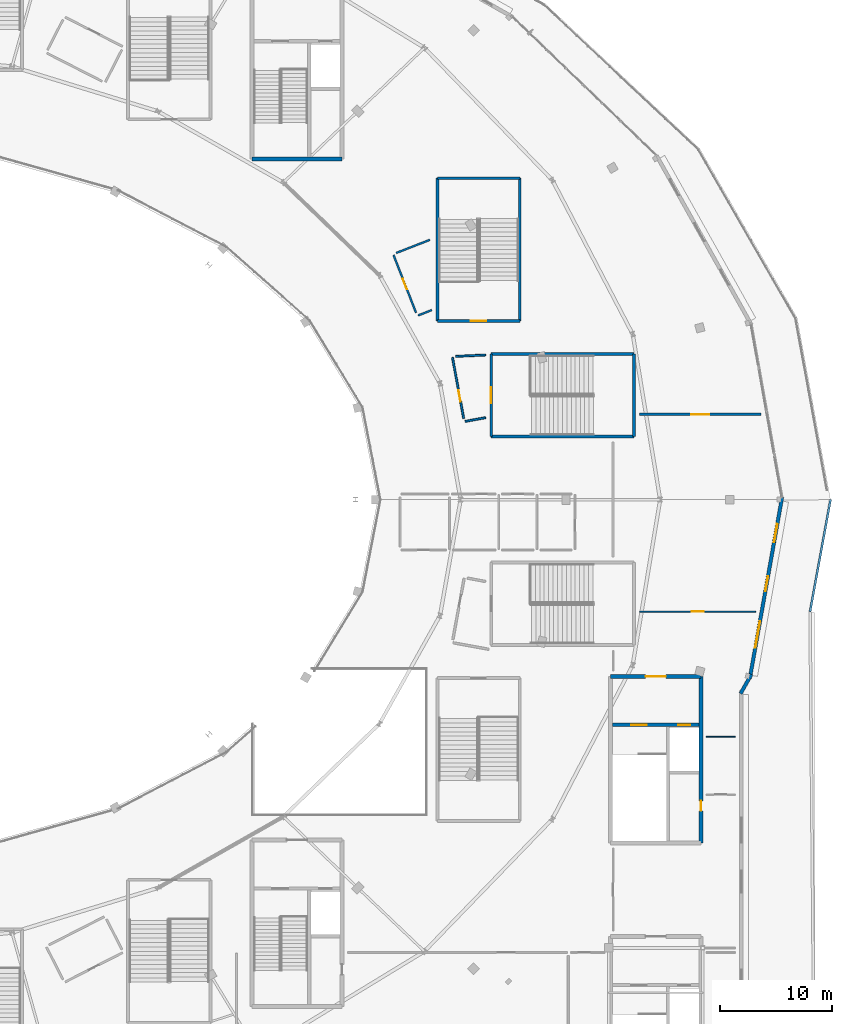
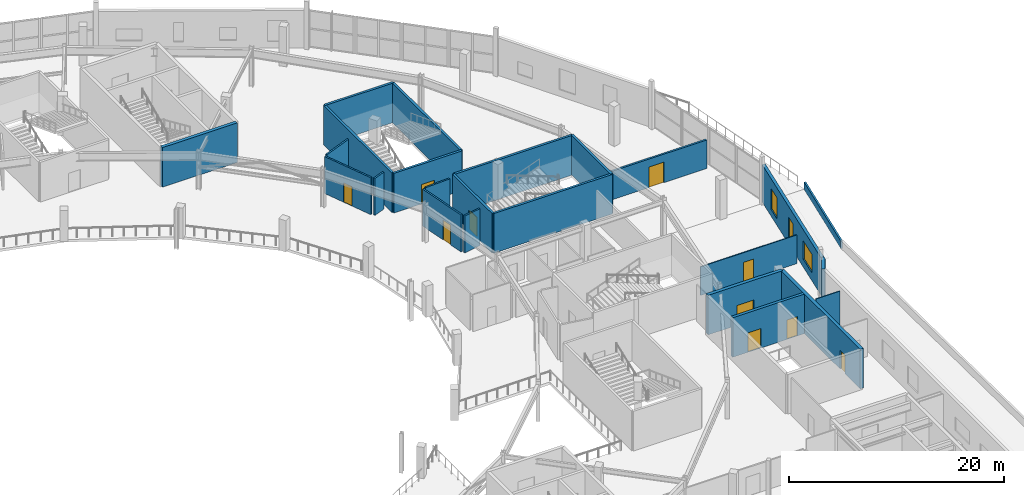
# One storey, part 93 of 123: 24 walls, 10 doors, 3 windows, 13 openings.
"""IFC4 building model written with IfcOpenShell, lengths in metres."""

from ifc_helpers import new_model, si_unit, direction, frame, frame_2d, origin, place, context, subcontext, project, spatial, rectangle, extrude, material, layer, layer_set, type_object, element, fill, save


model = new_model("IFC4")

# Units and contexts
model_context = context("Model", 3, precision=1e-05, world=origin(), true_north=direction((0.0, 1.0)))
body_context = subcontext(model_context, "Body", "Model", "MODEL_VIEW")
ifc_project = project(units=[si_unit("LENGTHUNIT", "METRE"), si_unit("AREAUNIT", "SQUARE_METRE"), si_unit("VOLUMEUNIT", "CUBIC_METRE"), si_unit("PLANEANGLEUNIT", "RADIAN"), si_unit("MASSUNIT", "GRAM", prefix="KILO")], contexts=[model_context])

# Site, building, storey
site_placement = place(None, origin())
site = spatial("IfcSite", under=ifc_project, at=site_placement, CompositionType="ELEMENT")
building_placement = place(site_placement, origin())
building = spatial("IfcBuilding", under=site, at=building_placement, Name="Kalgoora Escarpment Arena", CompositionType="ELEMENT")
storey_placement = place(building_placement, frame((0.0, 0.0, 9.89990234375)))
storey = spatial("IfcBuildingStorey", under=building, at=storey_placement, Name="L02", CompositionType="ELEMENT", Elevation=9.89990234375)

# Wall
ifc_material_1 = material(Name="Concrete N50 (fc' 50 MPa)", Category="concrete")
ifc_layer_1 = layer(ifc_material_1, 0.35009765625)
ifc_layer_set_1 = layer_set([ifc_layer_1], Name="WAL-CORE-350")
wall_type_1 = type_object("IfcWallType", Name="WAL-CORE-350", PredefinedType="SHEAR", material=ifc_layer_set_1)
wall_1_placement = place(storey_placement, frame((127.77490234375, 94.375, 0.0), z_axis=(0.0, 0.0, 1.0), x_axis=(1.0, 0.0, 0.0)))
element("IfcWall", 1, at=wall_1_placement, inside=storey, type_object=wall_type_1, Name="Core C4 L02 south shear wall", PredefinedType="SHEAR", context=body_context, shape_type="SweptSolid", body=[
    extrude(rectangle(XDim=8.050048828125, YDim=0.35009765625, at=frame_2d((4.02490234375, 0.0))), origin(), (0.0, 0.0, 1.0), 4.5),
])

# Wall, opening, door
wall_2_placement = place(storey_placement, frame((159.77490234375, 48.22509765625, 0.0), z_axis=(0.0, 0.0, 1.0), x_axis=(1.0, 0.0, 0.0)))
wall_2 = element("IfcWall", 2, at=wall_2_placement, inside=storey, type_object=wall_type_1, Name="Core C7 L02 north lobby wall", PredefinedType="SHEAR", context=body_context, shape_type="SweptSolid", body=[
    extrude(rectangle(XDim=8.050048828125, YDim=0.35009765625, at=frame_2d((4.02490234375, 0.0))), origin(), (0.0, 0.0, 1.0), 4.5),
])
opening_1_placement = place(wall_2_placement, frame((3.125, 0.0, 0.0)))
opening_1 = element("IfcOpeningElement", 3, at=opening_1_placement, cuts=wall_2, Name="Opening FD-C7L", PredefinedType="OPENING", context=body_context, shape_type="SweptSolid", body=[
    extrude(rectangle(XDim=1.800048828125, YDim=2.25, at=frame_2d((0.89990234375, 1.125))), frame((0.0, 0.18505859375, 0.0), z_axis=(0.0, -1.0, 0.0), x_axis=(1.0, 0.0, 0.0)), (0.0, 0.0, 1.0), 0.3701171875),
])
ifc_material_2 = material(Name="Double fire-rated smoke-seal lobby door")
door_type_1 = type_object("IfcDoorType", Name="DR-LOBBY-1800", OperationType="NOTDEFINED", PredefinedType="DOOR", material=ifc_material_2)
door_1_placement = place(opening_1_placement, origin())
door_1 = element("IfcDoor", 4, at=door_1_placement, inside=storey, type_object=door_type_1, Name="Core C7 L02 smoke-lobby fire door", OperationType="DOUBLE_DOOR_SINGLE_SWING", OverallHeight=2.25, OverallWidth=1.800048828125, PredefinedType="DOOR", context=body_context, shape_type="SweptSolid", body=[
    extrude(rectangle(XDim=1.800048828125, YDim=2.25, at=frame_2d((0.89990234375, 1.125))), frame((0.0, 0.02490234375, 0.0), z_axis=(0.0, -1.0, 0.0), x_axis=(1.0, 0.0, 0.0)), (0.0, 0.0, 1.0), 0.050048828125),
])
fill(opening_1, door_1)

wall_3_placement = place(storey_placement, frame((167.824951171875, 33.375, 0.0), z_axis=(0.0, 0.0, 1.0), x_axis=(0.0, 1.0, 0.0)))
wall_3 = element("IfcWall", 5, at=wall_3_placement, inside=storey, type_object=wall_type_1, Name="Core C7 L02 east shear wall", PredefinedType="SHEAR", context=body_context, shape_type="SweptSolid", body=[
    extrude(rectangle(XDim=14.85009765625, YDim=0.35009765625, at=frame_2d((7.425048828125, 0.0))), origin(), (0.0, 0.0, 1.0), 4.5),
])
opening_2_placement = place(wall_3_placement, frame((2.85498046875, 0.0, 0.0)))
opening_2 = element("IfcOpeningElement", 6, at=opening_2_placement, cuts=wall_3, Name="Opening FD-C7R", PredefinedType="OPENING", context=body_context, shape_type="SweptSolid", body=[
    extrude(rectangle(XDim=0.89990234375, YDim=2.10009765625, at=frame_2d((0.449951171875, 1.050048828125))), frame((0.0, 0.18505859375, 0.0), z_axis=(0.0, -1.0, 0.0), x_axis=(1.0, 0.0, 0.0)), (0.0, 0.0, 1.0), 0.3701171875),
])
ifc_material_3 = material(Name="Fire-rated steel riser access door", Category="steel")
door_type_2 = type_object("IfcDoorType", Name="DR-RISER-0900", OperationType="NOTDEFINED", PredefinedType="DOOR", material=ifc_material_3)
door_2_placement = place(opening_2_placement, origin())
door_2 = element("IfcDoor", 7, at=door_2_placement, inside=storey, type_object=door_type_2, Name="Core C7 L02 riser cupboard access door", OperationType="SINGLE_SWING_RIGHT", OverallHeight=2.10009765625, OverallWidth=0.89990234375, PredefinedType="DOOR", context=body_context, shape_type="SweptSolid", body=[
    extrude(rectangle(XDim=0.89990234375, YDim=2.10009765625, at=frame_2d((0.449951171875, 1.050048828125))), frame((0.0, 0.02490234375, 0.0), z_axis=(0.0, -1.0, 0.0), x_axis=(1.0, 0.0, 0.0)), (0.0, 0.0, 1.0), 0.050048828125),
])
fill(opening_2, door_2)

# Wall, openings, windows
ifc_material_4 = material(Name="Insulated limestone cladding precast wall 40 MPa", Category="masonry")
ifc_layer_2 = layer(ifc_material_4, 0.31494140625)
ifc_layer_set_2 = layer_set([ifc_layer_2], Name="WAL-EXT-315")
wall_type_2 = type_object("IfcWallType", Name="WAL-EXT-315", PredefinedType="SOLIDWALL", material=ifc_layer_set_2)
wall_4_placement = place(storey_placement, frame((175.076904296875, 64.20751953125, 0.0), z_axis=(0.0, 0.0, 1.0), x_axis=(-0.175348469708, -0.984506431757, 0.0)))
wall_4 = element("IfcWall", 8, at=wall_4_placement, inside=storey, type_object=wall_type_2, Name="L02 limestone-faced external wall 051", PredefinedType="SOLIDWALL", context=body_context, shape_type="SweptSolid", body=[
    extrude(rectangle(XDim=16.454345703125, YDim=0.31494140625, at=frame_2d((8.22705078125, 0.0))), origin(), (0.0, 0.0, 1.0), 4.260009765625),
])
opening_3_placement = place(wall_4_placement, frame((2.425048828125, 0.0, 0.75)))
opening_3 = element("IfcOpeningElement", 9, at=opening_3_placement, cuts=wall_4, Name="Opening W-02", PredefinedType="OPENING", context=body_context, shape_type="SweptSolid", body=[
    extrude(rectangle(XDim=1.64990234375, YDim=2.39990234375, at=frame_2d((0.824951171875, 1.199951171875))), frame((0.0, 0.16748046875, 0.0), z_axis=(0.0, -1.0, 0.0), x_axis=(1.0, 0.0, 0.0)), (0.0, 0.0, 1.0), 0.3349609375),
])
opening_4_placement = place(wall_4_placement, frame((7.175048828125, 0.0, 0.75)))
opening_4 = element("IfcOpeningElement", 10, at=opening_4_placement, cuts=wall_4, Name="Opening W-04", PredefinedType="OPENING", context=body_context, shape_type="SweptSolid", body=[
    extrude(rectangle(XDim=1.35009765625, YDim=2.300048828125, at=frame_2d((0.675048828125, 1.14990234375))), frame((0.0, 0.16748046875, 0.0), z_axis=(0.0, -1.0, 0.0), x_axis=(1.0, 0.0, 0.0)), (0.0, 0.0, 1.0), 0.3349609375),
])
opening_5_placement = place(wall_4_placement, frame((11.25, 0.0, 0.89990234375)))
opening_5 = element("IfcOpeningElement", 11, at=opening_5_placement, cuts=wall_4, Name="Opening W-06", PredefinedType="OPENING", context=body_context, shape_type="SweptSolid", body=[
    extrude(rectangle(XDim=2.39990234375, YDim=2.10009765625, at=frame_2d((1.199951171875, 1.050048828125))), frame((0.0, 0.16748046875, 0.0), z_axis=(0.0, -1.0, 0.0), x_axis=(1.0, 0.0, 0.0)), (0.0, 0.0, 1.0), 0.3349609375),
])
ifc_material_5 = material(Name="Low-E solar-control double glazing in champagne frame", Category="glass")
window_type_1 = type_object("IfcWindowType", Name="WIN-DECO-1350x2300", PartitioningType="SINGLE_PANEL", PredefinedType="WINDOW", material=ifc_material_5)
window_1_placement = place(opening_4_placement, origin())
window_1 = element("IfcWindow", 12, at=window_1_placement, inside=storey, type_object=window_type_1, Name="L02 scheduled facade window 063", OverallHeight=2.300048828125, OverallWidth=1.35009765625, PartitioningType="SINGLE_PANEL", PredefinedType="WINDOW", context=body_context, shape_type="SweptSolid", body=[
    extrude(rectangle(XDim=1.35009765625, YDim=2.300048828125, at=frame_2d((0.675048828125, 1.14990234375))), frame((0.0, 0.030029296875, 0.0), z_axis=(0.0, -1.0, 0.0), x_axis=(1.0, 0.0, 0.0)), (0.0, 0.0, 1.0), 0.06005859375),
])
fill(opening_4, window_1)
ifc_material_6 = material(Name="Low-E solar-control double glazing in champagne frame", Category="glass")
window_type_2 = type_object("IfcWindowType", Name="WIN-DECO-1650x2400", PartitioningType="SINGLE_PANEL", PredefinedType="WINDOW", material=ifc_material_6)
window_2_placement = place(opening_3_placement, origin())
window_2 = element("IfcWindow", 13, at=window_2_placement, inside=storey, type_object=window_type_2, Name="L02 scheduled facade window 062", OverallHeight=2.39990234375, OverallWidth=1.64990234375, PartitioningType="SINGLE_PANEL", PredefinedType="WINDOW", context=body_context, shape_type="SweptSolid", body=[
    extrude(rectangle(XDim=1.64990234375, YDim=2.39990234375, at=frame_2d((0.824951171875, 1.199951171875))), frame((0.0, 0.030029296875, 0.0), z_axis=(0.0, -1.0, 0.0), x_axis=(1.0, 0.0, 0.0)), (0.0, 0.0, 1.0), 0.06005859375),
])
fill(opening_3, window_2)
ifc_material_7 = material(Name="Low-E solar-control double glazing in champagne frame", Category="glass")
window_type_3 = type_object("IfcWindowType", Name="WIN-DECO-2400x2100", PartitioningType="SINGLE_PANEL", PredefinedType="WINDOW", material=ifc_material_7)
window_3_placement = place(opening_5_placement, origin())
window_3 = element("IfcWindow", 14, at=window_3_placement, inside=storey, type_object=window_type_3, Name="L02 scheduled facade window 064", OverallHeight=2.10009765625, OverallWidth=2.39990234375, PartitioningType="SINGLE_PANEL", PredefinedType="WINDOW", context=body_context, shape_type="SweptSolid", body=[
    extrude(rectangle(XDim=2.39990234375, YDim=2.10009765625, at=frame_2d((1.199951171875, 1.050048828125))), frame((0.0, 0.030029296875, 0.0), z_axis=(0.0, -1.0, 0.0), x_axis=(1.0, 0.0, 0.0)), (0.0, 0.0, 1.0), 0.06005859375),
])
fill(opening_5, window_3)

# Walls
wall_5_placement = place(storey_placement, frame((172.33056640625, 48.396728515625, 0.0), z_axis=(0.0, 0.0, 1.0), x_axis=(-0.488857713127, -0.872363534495, 0.0)))
element("IfcWall", 15, at=wall_5_placement, inside=storey, type_object=wall_type_2, Name="L02 limestone-faced external wall 052", PredefinedType="SOLIDWALL", context=body_context, shape_type="SweptSolid", body=[
    extrude(rectangle(XDim=1.958251953125, YDim=0.31494140625, at=frame_2d((0.97900390625, 0.0))), origin(), (0.0, 0.0, 1.0), 4.260009765625),
])
ifc_material_8 = material(Name="Framed acoustic studio partition", Category="gypsum")
ifc_layer_3 = layer(ifc_material_8, 0.10498046875)
ifc_layer_set_3 = layer_set([ifc_layer_3], Name="WAL-GLZ-105")
wall_type_3 = type_object("IfcWallType", Name="WAL-GLZ-105", PredefinedType="PARTITIONING", material=ifc_layer_set_3)
wall_6_placement = place(storey_placement, frame((168.324951171875, 42.85009765625, 0.0), z_axis=(0.0, 0.0, 1.0), x_axis=(1.0, 0.0, 0.0)))
element("IfcWall", 16, at=wall_6_placement, inside=storey, type_object=wall_type_3, Name="L02 Practice Viewing Gallery 2 partition wall", PredefinedType="PARTITIONING", context=body_context, shape_type="SweptSolid", body=[
    extrude(rectangle(XDim=2.587646484375, YDim=0.10498046875, at=frame_2d((1.2939453125, 0.0))), origin(), (0.0, 0.0, 1.0), 4.260009765625),
])

# Wall, opening, door
wall_7_placement = place(storey_placement, frame((162.375, 54.0, 0.0), z_axis=(0.0, 0.0, 1.0), x_axis=(1.0, 0.0, 0.0)))
wall_7 = element("IfcWall", 17, at=wall_7_placement, inside=storey, type_object=wall_type_3, Name="L02 Practice Viewing Gallery 3 partition wall", PredefinedType="PARTITIONING", context=body_context, shape_type="SweptSolid", body=[
    extrude(rectangle(XDim=10.3466796875, YDim=0.10498046875, at=frame_2d((5.17333984375, 0.0))), origin(), (0.0, 0.0, 1.0), 3.2451171875),
])
opening_6_placement = place(wall_7_placement, frame((4.63330078125, 0.0, 0.0)))
opening_6 = element("IfcOpeningElement", 18, at=opening_6_placement, cuts=wall_7, Name="Opening FD-I101", PredefinedType="OPENING", context=body_context, shape_type="SweptSolid", body=[
    extrude(rectangle(XDim=1.080078125, YDim=2.14990234375, at=frame_2d((0.5400390625, 1.074951171875))), frame((0.0, 0.0625, 0.0), z_axis=(0.0, -1.0, 0.0), x_axis=(1.0, 0.0, 0.0)), (0.0, 0.0, 1.0), 0.125),
])
ifc_material_9 = material(Name="Solid-core acoustic timber door", Category="wood")
door_type_3 = type_object("IfcDoorType", Name="DR-GEN-1080", OperationType="NOTDEFINED", PredefinedType="DOOR", material=ifc_material_9)
door_3_placement = place(opening_6_placement, origin())
door_3 = element("IfcDoor", 19, at=door_3_placement, inside=storey, type_object=door_type_3, Name="Practice Viewing Gallery 3 entrance door", OperationType="SINGLE_SWING_LEFT", OverallHeight=2.14990234375, OverallWidth=1.080078125, PredefinedType="DOOR", context=body_context, shape_type="SweptSolid", body=[
    extrude(rectangle(XDim=1.080078125, YDim=2.14990234375, at=frame_2d((0.5400390625, 1.074951171875))), frame((0.0, 0.02490234375, 0.0), z_axis=(0.0, -1.0, 0.0), x_axis=(1.0, 0.0, 0.0)), (0.0, 0.0, 1.0), 0.050048828125),
])
fill(opening_6, door_3)

# Wall
ifc_material_10 = material(Name="Stepped ziggurat roof parapet Concrete N40 (fc' 40 MPa)", Category="concrete")
ifc_layer_4 = layer(ifc_material_10, 0.18505859375)
ifc_layer_set_4 = layer_set([ifc_layer_4], Name="WAL-PAR-185")
wall_type_4 = type_object("IfcWallType", Name="WAL-PAR-185", PredefinedType="PARAPET", material=ifc_layer_set_4)
wall_8_placement = place(storey_placement, frame((179.39990234375, 64.0, 0.0), z_axis=(0.0, 0.0, 1.0), x_axis=(-0.179971594874, -0.983671807585, 0.0)))
element("IfcWall", 20, at=wall_8_placement, inside=storey, type_object=wall_type_4, Name="L02 stepped ziggurat limestone parapet 004", PredefinedType="PARAPET", context=body_context, shape_type="SweptSolid", body=[
    extrude(rectangle(XDim=10.166015625, YDim=0.18505859375, at=frame_2d((5.0830078125, 0.0))), origin(), (0.0, 0.0, 1.0), 0.85009765625),
])

# Wall, opening, door
ifc_material_11 = material(Name="Acoustic masonry plant wall Concrete N40 (fc' 40 MPa)", Category="masonry")
ifc_layer_5 = layer(ifc_material_11, 0.205078125)
ifc_layer_set_5 = layer_set([ifc_layer_5], Name="WAL-PLANT-205")
wall_type_5 = type_object("IfcWallType", Name="WAL-PLANT-205", PredefinedType="SOLIDWALL", material=ifc_layer_set_5)
wall_9_placement = place(storey_placement, frame((162.375, 71.60009765625, 0.0), z_axis=(0.0, 0.0, 1.0), x_axis=(1.0, 0.0, 0.0)))
wall_9 = element("IfcWall", 21, at=wall_9_placement, inside=storey, type_object=wall_type_5, Name="L02 Club Level AHU Plant partition wall", PredefinedType="SOLIDWALL", context=body_context, shape_type="SweptSolid", body=[
    extrude(rectangle(XDim=10.8125, YDim=0.205078125, at=frame_2d((5.40625, 0.0))), origin(), (0.0, 0.0, 1.0), 3.2451171875),
])
opening_7_placement = place(wall_9_placement, frame((4.606201171875, 0.0, 0.0)))
opening_7 = element("IfcOpeningElement", 22, at=opening_7_placement, cuts=wall_9, Name="Opening FD-I105", PredefinedType="OPENING", context=body_context, shape_type="SweptSolid", body=[
    extrude(rectangle(XDim=1.60009765625, YDim=2.35009765625, at=frame_2d((0.800048828125, 1.175048828125))), frame((0.0, 0.112548828125, 0.0), z_axis=(0.0, -1.0, 0.0), x_axis=(1.0, 0.0, 0.0)), (0.0, 0.0, 1.0), 0.22509765625),
])
ifc_material_12 = material(Name="Acoustic steel double plant room door", Category="steel")
door_type_4 = type_object("IfcDoorType", Name="DR-PLANT-1600", OperationType="NOTDEFINED", PredefinedType="DOOR", material=ifc_material_12)
door_4_placement = place(opening_7_placement, origin())
door_4 = element("IfcDoor", 23, at=door_4_placement, inside=storey, type_object=door_type_4, Name="Club Level AHU Plant entrance door", OperationType="DOUBLE_DOOR_SINGLE_SWING", OverallHeight=2.35009765625, OverallWidth=1.60009765625, PredefinedType="DOOR", context=body_context, shape_type="SweptSolid", body=[
    extrude(rectangle(XDim=1.60009765625, YDim=2.35009765625, at=frame_2d((0.800048828125, 1.175048828125))), frame((0.0, 0.02490234375, 0.0), z_axis=(0.0, -1.0, 0.0), x_axis=(1.0, 0.0, 0.0)), (0.0, 0.0, 1.0), 0.050048828125),
])
fill(opening_7, door_4)

# Wall, openings, doors
ifc_material_13 = material(Name="Concrete N50 (fc' 50 MPa)", Category="concrete")
ifc_layer_6 = layer(ifc_material_13, 0.300048828125)
ifc_layer_set_6 = layer_set([ifc_layer_6], Name="WAL-SHAFT-300")
wall_type_6 = type_object("IfcWallType", Name="WAL-SHAFT-300", PredefinedType="SHEAR", material=ifc_layer_set_6)
wall_10_placement = place(storey_placement, frame((159.949951171875, 43.89990234375, 0.0), z_axis=(0.0, 0.0, 1.0), x_axis=(1.0, 0.0, 0.0)))
wall_10 = element("IfcWall", 24, at=wall_10_placement, inside=storey, type_object=wall_type_6, Name="Core C7 L02 lobby shaft wall", PredefinedType="SHEAR", context=body_context, shape_type="SweptSolid", body=[
    extrude(rectangle(XDim=7.699951171875, YDim=0.300048828125, at=frame_2d((3.85009765625, 0.0))), origin(), (0.0, 0.0, 1.0), 4.5),
])
opening_8_placement = place(wall_10_placement, frame((1.64990234375, 0.0, 0.0)))
opening_8 = element("IfcOpeningElement", 25, at=opening_8_placement, cuts=wall_10, Name="Opening FD-ST07", PredefinedType="OPENING", context=body_context, shape_type="SweptSolid", body=[
    extrude(rectangle(XDim=1.39990234375, YDim=2.199951171875, at=frame_2d((0.699951171875, 1.10009765625))), frame((0.0, 0.159912109375, 0.0), z_axis=(0.0, -1.0, 0.0), x_axis=(1.0, 0.0, 0.0)), (0.0, 0.0, 1.0), 0.320068359375),
])
opening_9_placement = place(wall_10_placement, frame((5.85009765625, 0.0, 0.0)))
opening_9 = element("IfcOpeningElement", 26, at=opening_9_placement, cuts=wall_10, Name="Opening LD-GL1", PredefinedType="OPENING", context=body_context, shape_type="SweptSolid", body=[
    extrude(rectangle(XDim=1.10009765625, YDim=2.199951171875, at=frame_2d((0.550048828125, 1.10009765625))), frame((0.0, 0.159912109375, 0.0), z_axis=(0.0, -1.0, 0.0), x_axis=(1.0, 0.0, 0.0)), (0.0, 0.0, 1.0), 0.320068359375),
])
ifc_material_14 = material(Name="Brushed stainless steel sliding lift landing door", Category="steel")
door_type_5 = type_object("IfcDoorType", Name="DR-LD-GL1", OperationType="SLIDING_TO_LEFT", PredefinedType="DOOR", material=ifc_material_14)
door_5_placement = place(opening_9_placement, origin())
door_5 = element("IfcDoor", 27, at=door_5_placement, inside=storey, type_object=door_type_5, Name="Lift GL1 L02 sliding landing door", OperationType="SLIDING_TO_LEFT", OverallHeight=2.199951171875, OverallWidth=1.10009765625, PredefinedType="DOOR", context=body_context, shape_type="SweptSolid", body=[
    extrude(rectangle(XDim=1.10009765625, YDim=2.199951171875, at=frame_2d((0.550048828125, 1.10009765625))), frame((0.0, 0.02490234375, 0.0), z_axis=(0.0, -1.0, 0.0), x_axis=(1.0, 0.0, 0.0)), (0.0, 0.0, 1.0), 0.050048828125),
])
fill(opening_9, door_5)
ifc_material_15 = material(Name="Fire-rated steel stair leaf with vision panel", Category="steel")
door_type_6 = type_object("IfcDoorType", Name="DR-STAIR-1400", OperationType="NOTDEFINED", PredefinedType="DOOR", material=ifc_material_15)
door_6_placement = place(opening_8_placement, origin())
door_6 = element("IfcDoor", 28, at=door_6_placement, inside=storey, type_object=door_type_6, Name="Fire stair ST07 L02 fire door", OperationType="SINGLE_SWING_LEFT", OverallHeight=2.199951171875, OverallWidth=1.39990234375, PredefinedType="DOOR", context=body_context, shape_type="SweptSolid", body=[
    extrude(rectangle(XDim=1.39990234375, YDim=2.199951171875, at=frame_2d((0.699951171875, 1.10009765625))), frame((0.0, 0.02490234375, 0.0), z_axis=(0.0, -1.0, 0.0), x_axis=(1.0, 0.0, 0.0)), (0.0, 0.0, 1.0), 0.050048828125),
])
fill(opening_8, door_6)

# Walls
ifc_material_16 = material(Name="Concrete N50 (fc' 50 MPa)", Category="concrete")
ifc_layer_7 = layer(ifc_material_16, 0.25)
ifc_layer_set_7 = layer_set([ifc_layer_7], Name="WAL-STAIR-250")
wall_type_7 = type_object("IfcWallType", Name="WAL-STAIR-250", PredefinedType="SHEAR", material=ifc_layer_set_7)
for number, where, z_axis, x_axis, name in (
    (29, (149.125, 69.625, 0.0), (0.0, 0.0, 1.0), (1.0, 0.0, 0.0), "Exit stair ST21 L02 south wall"),
    (30, (149.125, 76.97509765625, 0.0), (0.0, 0.0, 1.0), (1.0, 0.0, 0.0), "Exit stair ST21 L02 north wall"),
):
    element("IfcWall", number, at=place(storey_placement, frame(where, z_axis=z_axis, x_axis=x_axis)), inside=storey, type_object=wall_type_7, Name=name, PredefinedType="SHEAR", context=body_context, shape_type="SweptSolid", body=[
        extrude(rectangle(XDim=12.75, YDim=0.25, at=frame_2d((6.375, 0.0))), origin(), (0.0, 0.0, 1.0), 4.5),
    ])

# Wall, opening, door
wall_11_placement = place(storey_placement, frame((149.125, 69.625, 0.0), z_axis=(0.0, 0.0, 1.0), x_axis=(0.0, 1.0, 0.0)))
wall_11 = element("IfcWall", 31, at=wall_11_placement, inside=storey, type_object=wall_type_7, Name="Exit stair ST21 L02 west wall", PredefinedType="SHEAR", context=body_context, shape_type="SweptSolid", body=[
    extrude(rectangle(XDim=7.35009765625, YDim=0.25, at=frame_2d((3.675048828125, 0.0))), origin(), (0.0, 0.0, 1.0), 4.5),
])
opening_10_placement = place(wall_11_placement, frame((2.97509765625, 0.0, 0.0)))
opening_10 = element("IfcOpeningElement", 32, at=opening_10_placement, cuts=wall_11, Name="Opening FD-ST21", PredefinedType="OPENING", context=body_context, shape_type="SweptSolid", body=[
    extrude(rectangle(XDim=1.39990234375, YDim=2.199951171875, at=frame_2d((0.699951171875, 1.10009765625))), frame((0.0, 0.135009765625, 0.0), z_axis=(0.0, -1.0, 0.0), x_axis=(1.0, 0.0, 0.0)), (0.0, 0.0, 1.0), 0.27001953125),
])
door_7_placement = place(opening_10_placement, origin())
door_7 = element("IfcDoor", 33, at=door_7_placement, inside=storey, type_object=door_type_6, Name="Fire-isolated stair ST21 L02 egress door", OperationType="SINGLE_SWING_LEFT", OverallHeight=2.199951171875, OverallWidth=1.39990234375, PredefinedType="DOOR", context=body_context, shape_type="SweptSolid", body=[
    extrude(rectangle(XDim=1.39990234375, YDim=2.199951171875, at=frame_2d((0.699951171875, 1.10009765625))), frame((0.0, 0.02490234375, 0.0), z_axis=(0.0, -1.0, 0.0), x_axis=(1.0, 0.0, 0.0)), (0.0, 0.0, 1.0), 0.050048828125),
])
fill(opening_10, door_7)

# Wall
wall_12_placement = place(storey_placement, frame((161.875, 69.625, 0.0), z_axis=(0.0, 0.0, 1.0), x_axis=(0.0, 1.0, 0.0)))
element("IfcWall", 34, at=wall_12_placement, inside=storey, type_object=wall_type_7, Name="Exit stair ST21 L02 east wall", PredefinedType="SHEAR", context=body_context, shape_type="SweptSolid", body=[
    extrude(rectangle(XDim=7.35009765625, YDim=0.25, at=frame_2d((3.675048828125, 0.0))), origin(), (0.0, 0.0, 1.0), 4.5),
])

# Wall, opening, door
wall_13_placement = place(storey_placement, frame((144.324951171875, 79.925048828125, 0.0), z_axis=(0.0, 0.0, 1.0), x_axis=(1.0, 0.0, 0.0)))
wall_13 = element("IfcWall", 35, at=wall_13_placement, inside=storey, type_object=wall_type_7, Name="Exit stair ST23 L02 south wall", PredefinedType="SHEAR", context=body_context, shape_type="SweptSolid", body=[
    extrude(rectangle(XDim=7.35009765625, YDim=0.25, at=frame_2d((3.675048828125, 0.0))), origin(), (0.0, 0.0, 1.0), 4.5),
])
opening_11_placement = place(wall_13_placement, frame((2.97509765625, 0.0, 0.0)))
opening_11 = element("IfcOpeningElement", 36, at=opening_11_placement, cuts=wall_13, Name="Opening FD-ST23", PredefinedType="OPENING", context=body_context, shape_type="SweptSolid", body=[
    extrude(rectangle(XDim=1.39990234375, YDim=2.199951171875, at=frame_2d((0.699951171875, 1.10009765625))), frame((0.0, 0.135009765625, 0.0), z_axis=(0.0, -1.0, 0.0), x_axis=(1.0, 0.0, 0.0)), (0.0, 0.0, 1.0), 0.27001953125),
])
door_8_placement = place(opening_11_placement, origin())
door_8 = element("IfcDoor", 37, at=door_8_placement, inside=storey, type_object=door_type_6, Name="Fire-isolated stair ST23 L02 egress door", OperationType="SINGLE_SWING_RIGHT", OverallHeight=2.199951171875, OverallWidth=1.39990234375, PredefinedType="DOOR", context=body_context, shape_type="SweptSolid", body=[
    extrude(rectangle(XDim=1.39990234375, YDim=2.199951171875, at=frame_2d((0.699951171875, 1.10009765625))), frame((0.0, 0.02490234375, 0.0), z_axis=(0.0, -1.0, 0.0), x_axis=(1.0, 0.0, 0.0)), (0.0, 0.0, 1.0), 0.050048828125),
])
fill(opening_11, door_8)

# Walls
wall_14_placement = place(storey_placement, frame((144.324951171875, 92.675048828125, 0.0), z_axis=(0.0, 0.0, 1.0), x_axis=(1.0, 0.0, 0.0)))
element("IfcWall", 38, at=wall_14_placement, inside=storey, type_object=wall_type_7, Name="Exit stair ST23 L02 north wall", PredefinedType="SHEAR", context=body_context, shape_type="SweptSolid", body=[
    extrude(rectangle(XDim=7.35009765625, YDim=0.25, at=frame_2d((3.675048828125, 0.0))), origin(), (0.0, 0.0, 1.0), 4.5),
])
for number, where, z_axis, x_axis, name in (
    (39, (144.324951171875, 79.925048828125, 0.0), (0.0, 0.0, 1.0), (0.0, 1.0, 0.0), "Exit stair ST23 L02 west wall"),
    (40, (151.675048828125, 79.925048828125, 0.0), (0.0, 0.0, 1.0), (0.0, 1.0, 0.0), "Exit stair ST23 L02 east wall"),
):
    element("IfcWall", number, at=place(storey_placement, frame(where, z_axis=z_axis, x_axis=x_axis)), inside=storey, type_object=wall_type_7, Name=name, PredefinedType="SHEAR", context=body_context, shape_type="SweptSolid", body=[
        extrude(rectangle(XDim=12.75, YDim=0.25, at=frame_2d((6.375, 0.0))), origin(), (0.0, 0.0, 1.0), 4.5),
    ])
ifc_material_17 = material(Name="Twin-stud acoustic plasterboard FRL -/60/60", Category="gypsum")
ifc_layer_8 = layer(ifc_material_17, 0.175048828125)
ifc_layer_set_8 = layer_set([ifc_layer_8], Name="WAL-SUITE-175")
wall_type_8 = type_object("IfcWallType", Name="WAL-SUITE-175", PredefinedType="PARTITIONING", material=ifc_layer_set_8)
wall_15_placement = place(storey_placement, frame((148.626220703125, 71.30712890625, 0.0), z_axis=(0.0, 0.0, 1.0), x_axis=(-0.983601501443, -0.180355444494, 0.0)))
element("IfcWall", 41, at=wall_15_placement, inside=storey, type_object=wall_type_8, Name="L02 Hospitality Suite HS02 partition wall", PredefinedType="PARTITIONING", context=body_context, shape_type="SweptSolid", body=[
    extrude(rectangle(XDim=1.85595703125, YDim=0.175048828125, at=frame_2d((0.927978515625, 0.0))), origin(), (0.0, 0.0, 1.0), 4.2001953125),
])

# Wall, opening, door
wall_16_placement = place(storey_placement, frame((146.6708984375, 71.23828125, 0.0), z_axis=(0.0, 0.0, 1.0), x_axis=(-0.180348493387, 0.983602775989, 0.0)))
wall_16 = element("IfcWall", 42, at=wall_16_placement, inside=storey, type_object=wall_type_8, Name="L02 Hospitality Suite HS02 partition wall", PredefinedType="PARTITIONING", context=body_context, shape_type="SweptSolid", body=[
    extrude(rectangle(XDim=5.535400390625, YDim=0.175048828125, at=frame_2d((2.767578125, 0.0))), origin(), (0.0, 0.0, 1.0), 4.2001953125),
])
opening_12_placement = place(wall_16_placement, frame((1.52490234375, 0.0, 0.0)))
opening_12 = element("IfcOpeningElement", 43, at=opening_12_placement, cuts=wall_16, Name="Opening FD-I078", PredefinedType="OPENING", context=body_context, shape_type="SweptSolid", body=[
    extrude(rectangle(XDim=1.050048828125, YDim=2.25, at=frame_2d((0.52490234375, 1.125))), frame((0.0, 0.097412109375, 0.0), z_axis=(0.0, -1.0, 0.0), x_axis=(1.0, 0.0, 0.0)), (0.0, 0.0, 1.0), 0.195068359375),
])
ifc_material_18 = material(Name="Veneered timber acoustic suite entrance door", Category="wood")
door_type_7 = type_object("IfcDoorType", Name="DR-SUITE-1050", OperationType="NOTDEFINED", PredefinedType="DOOR", material=ifc_material_18)
door_9_placement = place(opening_12_placement, origin())
door_9 = element("IfcDoor", 44, at=door_9_placement, inside=storey, type_object=door_type_7, Name="Hospitality Suite HS02 entrance door", OperationType="SINGLE_SWING_RIGHT", OverallHeight=2.25, OverallWidth=1.050048828125, PredefinedType="DOOR", context=body_context, shape_type="SweptSolid", body=[
    extrude(rectangle(XDim=1.050048828125, YDim=2.25, at=frame_2d((0.52490234375, 1.125))), frame((0.0, 0.02490234375, 0.0), z_axis=(0.0, -1.0, 0.0), x_axis=(1.0, 0.0, 0.0)), (0.0, 0.0, 1.0), 0.050048828125),
])
fill(opening_12, door_9)

# Walls
wall_17_placement = place(storey_placement, frame((145.95361328125, 76.775146484375, 0.0), z_axis=(0.0, 0.0, 1.0), x_axis=(0.998919790454, 0.046467754829, 0.0)))
element("IfcWall", 45, at=wall_17_placement, inside=storey, type_object=wall_type_8, Name="L02 Hospitality Suite HS02 partition wall", PredefinedType="PARTITIONING", context=body_context, shape_type="SweptSolid", body=[
    extrude(rectangle(XDim=2.67431640625, YDim=0.175048828125, at=frame_2d((1.337158203125, 0.0))), origin(), (0.0, 0.0, 1.0), 4.2001953125),
])
wall_18_placement = place(storey_placement, frame((143.83056640625, 80.9072265625, 0.0), z_axis=(0.0, 0.0, 1.0), x_axis=(-0.931569977819, -0.363562066815, 0.0)))
element("IfcWall", 46, at=wall_18_placement, inside=storey, type_object=wall_type_8, Name="L02 Hospitality Suite HS03 partition wall", PredefinedType="PARTITIONING", context=body_context, shape_type="SweptSolid", body=[
    extrude(rectangle(XDim=1.319580078125, YDim=0.175048828125, at=frame_2d((0.65966796875, 0.0))), origin(), (0.0, 0.0, 1.0), 4.2001953125),
])

# Wall, opening, door
wall_19_placement = place(storey_placement, frame((142.42333984375, 80.663818359375, 0.0), z_axis=(0.0, 0.0, 1.0), x_axis=(-0.363567692335, 0.931567782338, 0.0)))
wall_19 = element("IfcWall", 47, at=wall_19_placement, inside=storey, type_object=wall_type_8, Name="L02 Hospitality Suite HS03 partition wall", PredefinedType="PARTITIONING", context=body_context, shape_type="SweptSolid", body=[
    extrude(rectangle(XDim=5.535400390625, YDim=0.175048828125, at=frame_2d((2.767578125, 0.0))), origin(), (0.0, 0.0, 1.0), 4.2001953125),
])
opening_13_placement = place(wall_19_placement, frame((2.267578125, 0.0, 0.0)))
opening_13 = element("IfcOpeningElement", 48, at=opening_13_placement, cuts=wall_19, Name="Opening FD-I079", PredefinedType="OPENING", context=body_context, shape_type="SweptSolid", body=[
    extrude(rectangle(XDim=1.0, YDim=2.199951171875, at=frame_2d((0.5, 1.10009765625))), frame((0.0, 0.097412109375, 0.0), z_axis=(0.0, -1.0, 0.0), x_axis=(1.0, 0.0, 0.0)), (0.0, 0.0, 1.0), 0.195068359375),
])
ifc_material_19 = material(Name="Veneered timber acoustic suite entrance door", Category="wood")
door_type_8 = type_object("IfcDoorType", Name="DR-SUITE-1000", OperationType="NOTDEFINED", PredefinedType="DOOR", material=ifc_material_19)
door_10_placement = place(opening_13_placement, origin())
door_10 = element("IfcDoor", 49, at=door_10_placement, inside=storey, type_object=door_type_8, Name="Hospitality Suite HS03 entrance door", OperationType="SINGLE_SWING_LEFT", OverallHeight=2.199951171875, OverallWidth=1.0, PredefinedType="DOOR", context=body_context, shape_type="SweptSolid", body=[
    extrude(rectangle(XDim=1.0, YDim=2.199951171875, at=frame_2d((0.5, 1.10009765625))), frame((0.0, 0.02490234375, 0.0), z_axis=(0.0, -1.0, 0.0), x_axis=(1.0, 0.0, 0.0)), (0.0, 0.0, 1.0), 0.050048828125),
])
fill(opening_13, door_10)

# Wall
wall_20_placement = place(storey_placement, frame((140.64697265625, 85.998291015625, 0.0), z_axis=(0.0, 0.0, 1.0), x_axis=(0.931566399229, 0.363571236248, 0.0)))
element("IfcWall", 50, at=wall_20_placement, inside=storey, type_object=wall_type_8, Name="L02 Hospitality Suite HS03 partition wall", PredefinedType="PARTITIONING", context=body_context, shape_type="SweptSolid", body=[
    extrude(rectangle(XDim=3.2353515625, YDim=0.175048828125, at=frame_2d((1.61767578125, 0.0))), origin(), (0.0, 0.0, 1.0), 4.2001953125),
])

save(model, "model.ifc")
